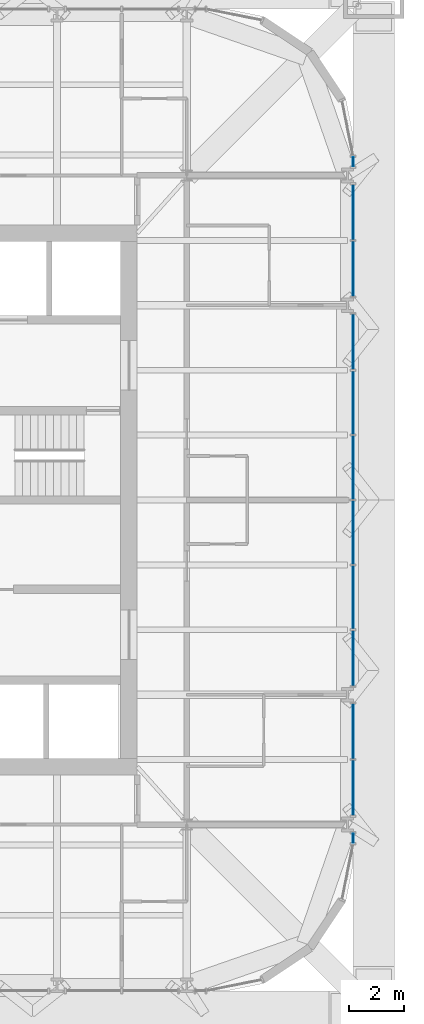
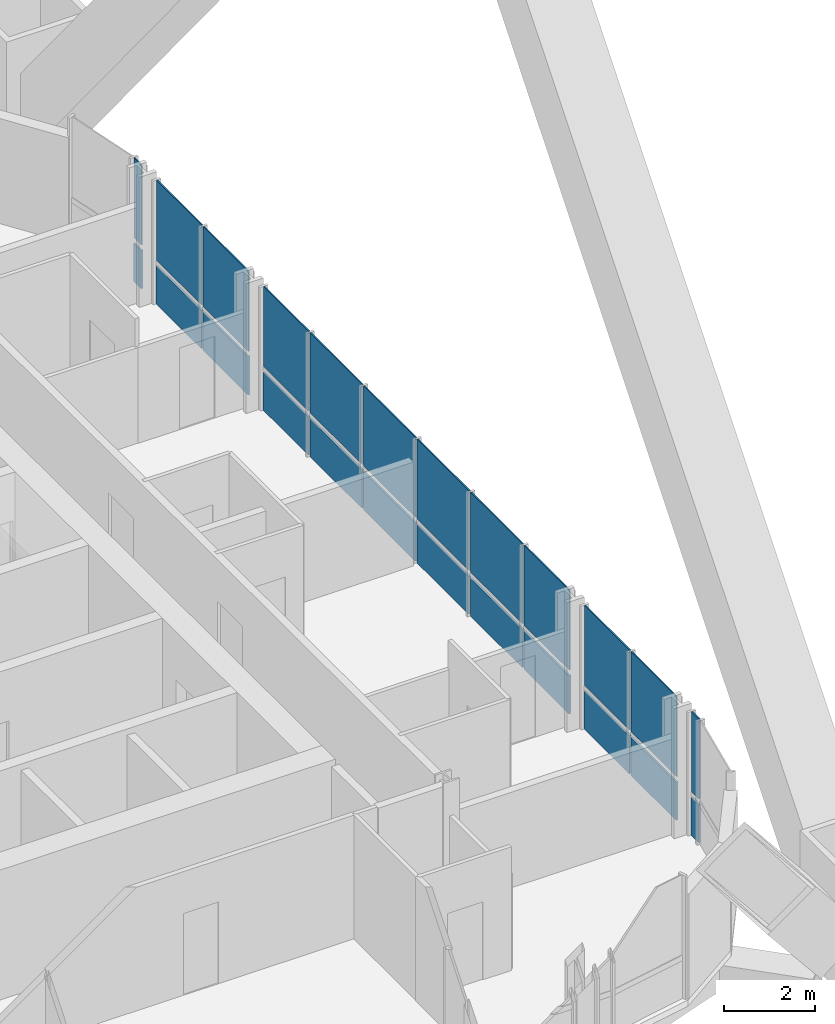
# One storey, part 17 of 23: 24 plates, 5 elements without a shape of their own.
"""IFC4 building model written with IfcOpenShell, lengths in metres."""

from ifc_helpers import new_model, si_unit, direction, frame, origin, origin_2d, place, context, subcontext, project, spatial, rectangle, extrude, material, layer, layer_set, type_object, element, aggregate, save


model = new_model("IFC4")

# Units and contexts
model_context = context("Model", 3, precision=1e-05, world=origin(), true_north=direction((0.0, 1.0)))
body_context = subcontext(model_context, "Body", "Model", "MODEL_VIEW")
ifc_project = project(units=[si_unit("LENGTHUNIT", "METRE"), si_unit("AREAUNIT", "SQUARE_METRE"), si_unit("VOLUMEUNIT", "CUBIC_METRE"), si_unit("PLANEANGLEUNIT", "RADIAN"), si_unit("MASSUNIT", "GRAM", prefix="KILO")], contexts=[model_context])

# Site, building, storey
site_placement = place(None, origin())
site = spatial("IfcSite", under=ifc_project, at=site_placement, CompositionType="ELEMENT")
building_placement = place(site_placement, origin())
building = spatial("IfcBuilding", under=site, at=building_placement, Name="Turquesa Mirador Hotel Tower", CompositionType="ELEMENT")
storey_placement = place(building_placement, frame((0.0, 0.0, 226.699951171875)))
storey = spatial("IfcBuildingStorey", under=building, at=storey_placement, Name="L61", CompositionType="ELEMENT", Elevation=226.699951171875)

# Curtain wall, plate
ifc_material_1 = material(Name="Aluminium extrusion", Category="aluminium")
curtain_wall_type = type_object("IfcCurtainWallType", Name="CW-4 SUITE FRITTED CURTAIN WALL", PredefinedType="USERDEFINED", material=ifc_material_1)
curtain_wall_1_placement = place(storey_placement, origin())
curtain_wall_1 = element("IfcCurtainWall", 1, at=curtain_wall_1_placement, inside=storey, type_object=curtain_wall_type, Name="CW-4 SUITE FRITTED CURTAIN WALL L61", ObjectType="CURTAIN WALL", PredefinedType="USERDEFINED")
ifc_material_2 = material(Name="Ceramic-printed spandrel glass on an insulated back pan", Category="glass")
ifc_layer_1 = layer(ifc_material_2, 0.050048828125)
ifc_layer_set_1 = layer_set([ifc_layer_1], Name="CW PANEL SPANDREL CERAMIC")
plate_type_1 = type_object("IfcPlateType", Name="CW PANEL SPANDREL CERAMIC", PredefinedType="CURTAIN_PANEL", material=ifc_layer_set_1)
plate_1_placement = place(storey_placement, frame((72.85009765625, 32.699951171875, 0.0), z_axis=(0.0, 0.0, 1.0), x_axis=(0.0, 1.0, 0.0)))
plate_1 = element("IfcPlate", 2, at=plate_1_placement, type_object=plate_type_1, Name="Panel", PredefinedType="CURTAIN_PANEL", context=body_context, shape_type="SweptSolid", body=[
    extrude(rectangle(XDim=0.3349609375, YDim=0.050048828125, at=origin_2d()), origin(), (0.0, 0.0, 1.0), 1.02490234375),
])

# Curtain wall, plates
curtain_wall_2_placement = place(storey_placement, origin())
curtain_wall_2 = element("IfcCurtainWall", 3, at=curtain_wall_2_placement, inside=storey, type_object=curtain_wall_type, Name="CW-4 SUITE FRITTED CURTAIN WALL L61", ObjectType="CURTAIN WALL", PredefinedType="USERDEFINED")
plate_2_placement = place(storey_placement, frame((72.85009765625, 34.530029296875, 0.0), z_axis=(0.0, 0.0, 1.0), x_axis=(0.0, 1.0, 0.0)))
plate_2 = element("IfcPlate", 4, at=plate_2_placement, type_object=plate_type_1, Name="Panel", PredefinedType="CURTAIN_PANEL", context=body_context, shape_type="SweptSolid", body=[
    extrude(rectangle(XDim=1.9951171875, YDim=0.050048828125, at=origin_2d()), origin(), (0.0, 0.0, 1.0), 1.02490234375),
])
plate_3_placement = place(storey_placement, frame((72.85009765625, 36.590087890625, 0.0), z_axis=(0.0, 0.0, 1.0), x_axis=(0.0, 1.0, 0.0)))
plate_3 = element("IfcPlate", 5, at=plate_3_placement, type_object=plate_type_1, Name="Panel", PredefinedType="CURTAIN_PANEL", context=body_context, shape_type="SweptSolid", body=[
    extrude(rectangle(XDim=1.9951171875, YDim=0.050048828125, at=origin_2d()), origin(), (0.0, 0.0, 1.0), 1.02490234375),
])

curtain_wall_3_placement = place(storey_placement, origin())
curtain_wall_3 = element("IfcCurtainWall", 6, at=curtain_wall_3_placement, inside=storey, type_object=curtain_wall_type, Name="CW-4 SUITE FRITTED CURTAIN WALL L61", ObjectType="CURTAIN WALL", PredefinedType="USERDEFINED")
plate_4_placement = place(storey_placement, frame((72.85009765625, 39.25, 0.0), z_axis=(0.0, 0.0, 1.0), x_axis=(0.0, 1.0, 0.0)))
plate_4 = element("IfcPlate", 7, at=plate_4_placement, type_object=plate_type_1, Name="Panel", PredefinedType="CURTAIN_PANEL", context=body_context, shape_type="SweptSolid", body=[
    extrude(rectangle(XDim=1.9951171875, YDim=0.050048828125, at=origin_2d()), origin(), (0.0, 0.0, 1.0), 1.02490234375),
])
plate_5_placement = place(storey_placement, frame((72.85009765625, 41.4599609375, 0.0), z_axis=(0.0, 0.0, 1.0), x_axis=(0.0, 1.0, 0.0)))
plate_5 = element("IfcPlate", 8, at=plate_5_placement, type_object=plate_type_1, Name="Panel", PredefinedType="CURTAIN_PANEL", context=body_context, shape_type="SweptSolid", body=[
    extrude(rectangle(XDim=2.294921875, YDim=0.050048828125, at=origin_2d()), origin(), (0.0, 0.0, 1.0), 1.02490234375),
])
plate_6_placement = place(storey_placement, frame((72.85009765625, 43.820068359375, 0.0), z_axis=(0.0, 0.0, 1.0), x_axis=(0.0, 1.0, 0.0)))
plate_6 = element("IfcPlate", 9, at=plate_6_placement, type_object=plate_type_1, Name="Panel", PredefinedType="CURTAIN_PANEL", context=body_context, shape_type="SweptSolid", body=[
    extrude(rectangle(XDim=2.294921875, YDim=0.050048828125, at=origin_2d()), origin(), (0.0, 0.0, 1.0), 1.02490234375),
])
plate_7_placement = place(storey_placement, frame((72.85009765625, 46.179931640625, 0.0), z_axis=(0.0, 0.0, 1.0), x_axis=(0.0, 1.0, 0.0)))
plate_7 = element("IfcPlate", 10, at=plate_7_placement, type_object=plate_type_1, Name="Panel", PredefinedType="CURTAIN_PANEL", context=body_context, shape_type="SweptSolid", body=[
    extrude(rectangle(XDim=2.294921875, YDim=0.050048828125, at=origin_2d()), origin(), (0.0, 0.0, 1.0), 1.02490234375),
])
plate_8_placement = place(storey_placement, frame((72.85009765625, 48.5400390625, 0.0), z_axis=(0.0, 0.0, 1.0), x_axis=(0.0, 1.0, 0.0)))
plate_8 = element("IfcPlate", 11, at=plate_8_placement, type_object=plate_type_1, Name="Panel", PredefinedType="CURTAIN_PANEL", context=body_context, shape_type="SweptSolid", body=[
    extrude(rectangle(XDim=2.294921875, YDim=0.050048828125, at=origin_2d()), origin(), (0.0, 0.0, 1.0), 1.02490234375),
])
plate_9_placement = place(storey_placement, frame((72.85009765625, 50.75, 0.0), z_axis=(0.0, 0.0, 1.0), x_axis=(0.0, 1.0, 0.0)))
plate_9 = element("IfcPlate", 12, at=plate_9_placement, type_object=plate_type_1, Name="Panel", PredefinedType="CURTAIN_PANEL", context=body_context, shape_type="SweptSolid", body=[
    extrude(rectangle(XDim=1.9951171875, YDim=0.050048828125, at=origin_2d()), origin(), (0.0, 0.0, 1.0), 1.02490234375),
])

curtain_wall_4_placement = place(storey_placement, origin())
curtain_wall_4 = element("IfcCurtainWall", 13, at=curtain_wall_4_placement, inside=storey, type_object=curtain_wall_type, Name="CW-4 SUITE FRITTED CURTAIN WALL L61", ObjectType="CURTAIN WALL", PredefinedType="USERDEFINED")
plate_10_placement = place(storey_placement, frame((72.85009765625, 53.409912109375, 0.0), z_axis=(0.0, 0.0, 1.0), x_axis=(0.0, 1.0, 0.0)))
plate_10 = element("IfcPlate", 14, at=plate_10_placement, type_object=plate_type_1, Name="Panel", PredefinedType="CURTAIN_PANEL", context=body_context, shape_type="SweptSolid", body=[
    extrude(rectangle(XDim=1.9951171875, YDim=0.050048828125, at=origin_2d()), origin(), (0.0, 0.0, 1.0), 1.02490234375),
])
plate_11_placement = place(storey_placement, frame((72.85009765625, 55.469970703125, 0.0), z_axis=(0.0, 0.0, 1.0), x_axis=(0.0, 1.0, 0.0)))
plate_11 = element("IfcPlate", 15, at=plate_11_placement, type_object=plate_type_1, Name="Panel", PredefinedType="CURTAIN_PANEL", context=body_context, shape_type="SweptSolid", body=[
    extrude(rectangle(XDim=1.9951171875, YDim=0.050048828125, at=origin_2d()), origin(), (0.0, 0.0, 1.0), 1.02490234375),
])

# Curtain wall, plate
curtain_wall_5_placement = place(storey_placement, origin())
curtain_wall_5 = element("IfcCurtainWall", 16, at=curtain_wall_5_placement, inside=storey, type_object=curtain_wall_type, Name="CW-4 SUITE FRITTED CURTAIN WALL L61", ObjectType="CURTAIN WALL", PredefinedType="USERDEFINED")
plate_12_placement = place(storey_placement, frame((72.85009765625, 57.300048828125, 0.0), z_axis=(0.0, 0.0, 1.0), x_axis=(0.0, 1.0, 0.0)))
plate_12 = element("IfcPlate", 17, at=plate_12_placement, type_object=plate_type_1, Name="Panel", PredefinedType="CURTAIN_PANEL", context=body_context, shape_type="SweptSolid", body=[
    extrude(rectangle(XDim=0.3349609375, YDim=0.050048828125, at=origin_2d()), origin(), (0.0, 0.0, 1.0), 1.02490234375),
])

# Plate
ifc_material_3 = material(Name="Ceramic-fritted laminated glass", Category="glass")
ifc_layer_2 = layer(ifc_material_3, 0.031982421875)
ifc_layer_set_2 = layer_set([ifc_layer_2], Name="CW PANEL VISION FRITTED")
plate_type_2 = type_object("IfcPlateType", Name="CW PANEL VISION FRITTED", PredefinedType="CURTAIN_PANEL", material=ifc_layer_set_2)
plate_13_placement = place(storey_placement, frame((72.85009765625, 32.699951171875, 1.1748046875), z_axis=(0.0, 0.0, 1.0), x_axis=(0.0, 1.0, 0.0)))
plate_13 = element("IfcPlate", 18, at=plate_13_placement, type_object=plate_type_2, Name="Panel", PredefinedType="CURTAIN_PANEL", context=body_context, shape_type="SweptSolid", body=[
    extrude(rectangle(XDim=0.3349609375, YDim=0.031982421875, at=origin_2d()), origin(), (0.0, 0.0, 1.0), 2.155029296875),
])

aggregate(curtain_wall_1, [plate_1, plate_13])

plate_14_placement = place(storey_placement, frame((72.85009765625, 34.530029296875, 1.1748046875), z_axis=(0.0, 0.0, 1.0), x_axis=(0.0, 1.0, 0.0)))
plate_14 = element("IfcPlate", 19, at=plate_14_placement, type_object=plate_type_2, Name="Panel", PredefinedType="CURTAIN_PANEL", context=body_context, shape_type="SweptSolid", body=[
    extrude(rectangle(XDim=1.9951171875, YDim=0.031982421875, at=origin_2d()), origin(), (0.0, 0.0, 1.0), 2.155029296875),
])

plate_15_placement = place(storey_placement, frame((72.85009765625, 36.590087890625, 1.1748046875), z_axis=(0.0, 0.0, 1.0), x_axis=(0.0, 1.0, 0.0)))
plate_15 = element("IfcPlate", 20, at=plate_15_placement, type_object=plate_type_2, Name="Panel", PredefinedType="CURTAIN_PANEL", context=body_context, shape_type="SweptSolid", body=[
    extrude(rectangle(XDim=1.9951171875, YDim=0.031982421875, at=origin_2d()), origin(), (0.0, 0.0, 1.0), 2.155029296875),
])

aggregate(curtain_wall_2, [plate_2, plate_14, plate_3, plate_15])

plate_16_placement = place(storey_placement, frame((72.85009765625, 39.25, 1.1748046875), z_axis=(0.0, 0.0, 1.0), x_axis=(0.0, 1.0, 0.0)))
plate_16 = element("IfcPlate", 21, at=plate_16_placement, type_object=plate_type_2, Name="Panel", PredefinedType="CURTAIN_PANEL", context=body_context, shape_type="SweptSolid", body=[
    extrude(rectangle(XDim=1.9951171875, YDim=0.031982421875, at=origin_2d()), origin(), (0.0, 0.0, 1.0), 2.155029296875),
])

plate_17_placement = place(storey_placement, frame((72.85009765625, 41.4599609375, 1.1748046875), z_axis=(0.0, 0.0, 1.0), x_axis=(0.0, 1.0, 0.0)))
plate_17 = element("IfcPlate", 22, at=plate_17_placement, type_object=plate_type_2, Name="Panel", PredefinedType="CURTAIN_PANEL", context=body_context, shape_type="SweptSolid", body=[
    extrude(rectangle(XDim=2.294921875, YDim=0.031982421875, at=origin_2d()), origin(), (0.0, 0.0, 1.0), 2.155029296875),
])

plate_18_placement = place(storey_placement, frame((72.85009765625, 43.820068359375, 1.1748046875), z_axis=(0.0, 0.0, 1.0), x_axis=(0.0, 1.0, 0.0)))
plate_18 = element("IfcPlate", 23, at=plate_18_placement, type_object=plate_type_2, Name="Panel", PredefinedType="CURTAIN_PANEL", context=body_context, shape_type="SweptSolid", body=[
    extrude(rectangle(XDim=2.294921875, YDim=0.031982421875, at=origin_2d()), origin(), (0.0, 0.0, 1.0), 2.155029296875),
])

plate_19_placement = place(storey_placement, frame((72.85009765625, 46.179931640625, 1.1748046875), z_axis=(0.0, 0.0, 1.0), x_axis=(0.0, 1.0, 0.0)))
plate_19 = element("IfcPlate", 24, at=plate_19_placement, type_object=plate_type_2, Name="Panel", PredefinedType="CURTAIN_PANEL", context=body_context, shape_type="SweptSolid", body=[
    extrude(rectangle(XDim=2.294921875, YDim=0.031982421875, at=origin_2d()), origin(), (0.0, 0.0, 1.0), 2.155029296875),
])

plate_20_placement = place(storey_placement, frame((72.85009765625, 48.5400390625, 1.1748046875), z_axis=(0.0, 0.0, 1.0), x_axis=(0.0, 1.0, 0.0)))
plate_20 = element("IfcPlate", 25, at=plate_20_placement, type_object=plate_type_2, Name="Panel", PredefinedType="CURTAIN_PANEL", context=body_context, shape_type="SweptSolid", body=[
    extrude(rectangle(XDim=2.294921875, YDim=0.031982421875, at=origin_2d()), origin(), (0.0, 0.0, 1.0), 2.155029296875),
])

plate_21_placement = place(storey_placement, frame((72.85009765625, 50.75, 1.1748046875), z_axis=(0.0, 0.0, 1.0), x_axis=(0.0, 1.0, 0.0)))
plate_21 = element("IfcPlate", 26, at=plate_21_placement, type_object=plate_type_2, Name="Panel", PredefinedType="CURTAIN_PANEL", context=body_context, shape_type="SweptSolid", body=[
    extrude(rectangle(XDim=1.9951171875, YDim=0.031982421875, at=origin_2d()), origin(), (0.0, 0.0, 1.0), 2.155029296875),
])

aggregate(curtain_wall_3, [plate_4, plate_16, plate_5, plate_17, plate_6, plate_18, plate_7, plate_19, plate_8, plate_20, plate_9, plate_21])

plate_22_placement = place(storey_placement, frame((72.85009765625, 53.409912109375, 1.1748046875), z_axis=(0.0, 0.0, 1.0), x_axis=(0.0, 1.0, 0.0)))
plate_22 = element("IfcPlate", 27, at=plate_22_placement, type_object=plate_type_2, Name="Panel", PredefinedType="CURTAIN_PANEL", context=body_context, shape_type="SweptSolid", body=[
    extrude(rectangle(XDim=1.9951171875, YDim=0.031982421875, at=origin_2d()), origin(), (0.0, 0.0, 1.0), 2.155029296875),
])

plate_23_placement = place(storey_placement, frame((72.85009765625, 55.469970703125, 1.1748046875), z_axis=(0.0, 0.0, 1.0), x_axis=(0.0, 1.0, 0.0)))
plate_23 = element("IfcPlate", 28, at=plate_23_placement, type_object=plate_type_2, Name="Panel", PredefinedType="CURTAIN_PANEL", context=body_context, shape_type="SweptSolid", body=[
    extrude(rectangle(XDim=1.9951171875, YDim=0.031982421875, at=origin_2d()), origin(), (0.0, 0.0, 1.0), 2.155029296875),
])

aggregate(curtain_wall_4, [plate_10, plate_22, plate_11, plate_23])

plate_24_placement = place(storey_placement, frame((72.85009765625, 57.300048828125, 1.1748046875), z_axis=(0.0, 0.0, 1.0), x_axis=(0.0, 1.0, 0.0)))
plate_24 = element("IfcPlate", 29, at=plate_24_placement, type_object=plate_type_2, Name="Panel", PredefinedType="CURTAIN_PANEL", context=body_context, shape_type="SweptSolid", body=[
    extrude(rectangle(XDim=0.3349609375, YDim=0.031982421875, at=origin_2d()), origin(), (0.0, 0.0, 1.0), 2.155029296875),
])

aggregate(curtain_wall_5, [plate_12, plate_24])

save(model, "model.ifc")
